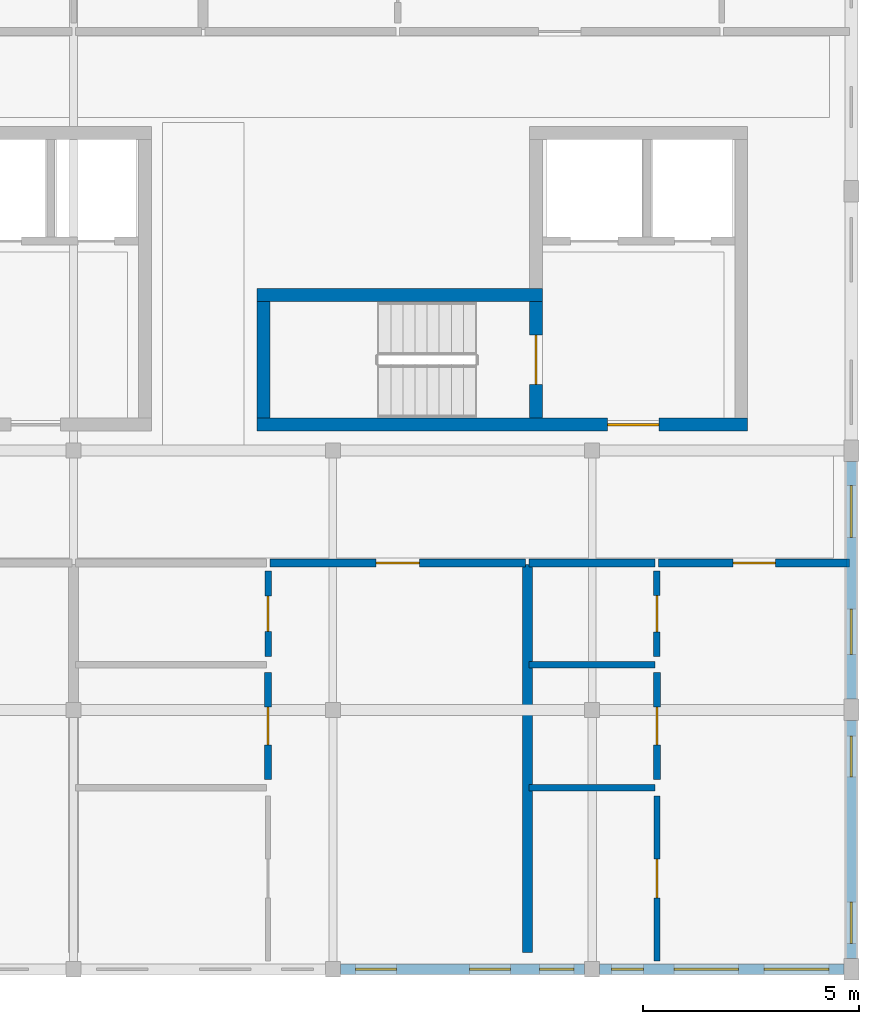
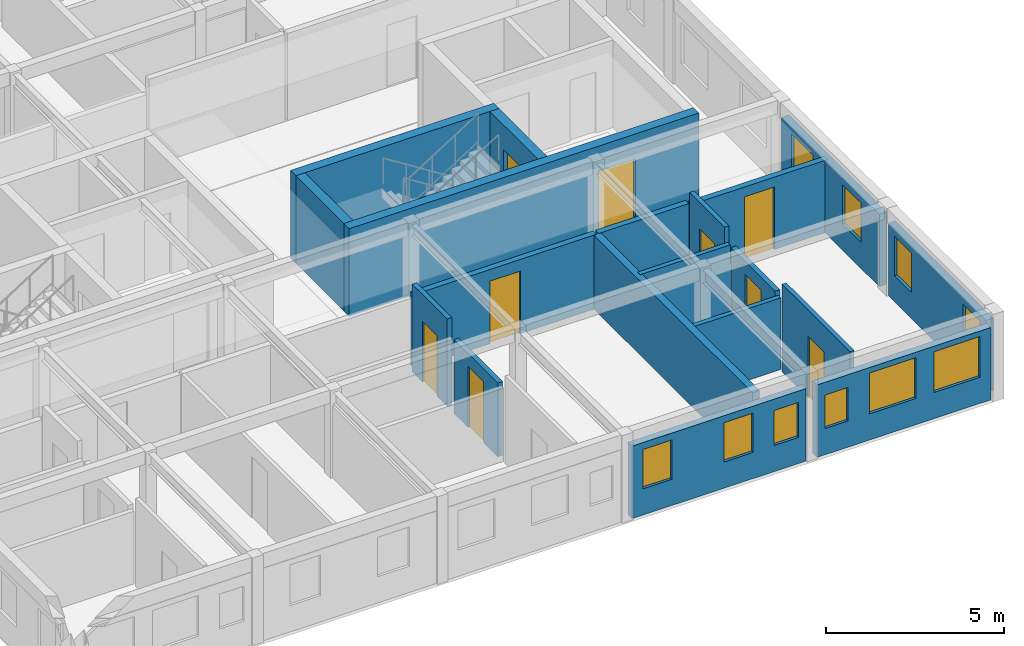
# One storey, part 3 of 7: 19 walls, 10 windows, 9 doors, 19 openings.
"""IFC4 building model written with IfcOpenShell, lengths in metres."""

from ifc_helpers import new_model, si_unit, direction, frame, frame_2d, origin, place, context, subcontext, project, spatial, rectangle, extrude, material, layer, layer_set, type_object, element, fill, save


model = new_model("IFC4")

# Units and contexts
model_context = context("Model", 3, precision=1e-05, world=origin(), true_north=direction((0.0, 1.0)))
body_context = subcontext(model_context, "Body", "Model", "MODEL_VIEW")
ifc_project = project(units=[si_unit("LENGTHUNIT", "METRE"), si_unit("AREAUNIT", "SQUARE_METRE"), si_unit("VOLUMEUNIT", "CUBIC_METRE"), si_unit("PLANEANGLEUNIT", "RADIAN"), si_unit("MASSUNIT", "GRAM", prefix="KILO"), si_unit("POWERUNIT", "WATT"), si_unit("THERMODYNAMICTEMPERATUREUNIT", "KELVIN")], contexts=[model_context])

# Site, building, storey
site_placement = place(None, origin())
site = spatial("IfcSite", under=ifc_project, at=site_placement, CompositionType="ELEMENT")
building_placement = place(site_placement, origin())
building = spatial("IfcBuilding", under=site, at=building_placement, Name="Ruvembo Vaulted Housing Court", CompositionType="ELEMENT")
storey_placement = place(building_placement, frame((0.0, 0.0, 42.89990234375)))
storey = spatial("IfcBuildingStorey", under=building, at=storey_placement, Name="L13", CompositionType="ELEMENT", Elevation=42.89990234375)

# Wall, opening, door
ifc_material_1 = material(Name="Concrete C35/45", Category="concrete")
ifc_layer_1 = layer(ifc_material_1, 0.300048828125, Name="Concrete C35/45")
ifc_layer_set_1 = layer_set([ifc_layer_1], Name="Concrete C35/45")
wall_type_1 = type_object("IfcWallType", Name="WL-CORE-300", PredefinedType="SHEAR", material=ifc_layer_set_1)
wall_1_placement = place(storey_placement, frame((16.25, 18.60009765625, 0.0), z_axis=(0.0, 0.0, 1.0), x_axis=(1.0, 0.0, 0.0)))
wall_1 = element("IfcWall", 1, at=wall_1_placement, inside=storey, type_object=wall_type_1, Name="Core A2 L13 South Shear Wall", PredefinedType="SHEAR", context=body_context, shape_type="SweptSolid", body=[
    extrude(rectangle(XDim=11.35009765625, YDim=0.300048828125, at=frame_2d((5.675048828125, 0.0))), origin(), (0.0, 0.0, 1.0), 3.005126953125),
])
opening_1_placement = place(wall_1_placement, frame((8.10009765625, 0.0, 0.0)))
opening_1 = element("IfcOpeningElement", 2, at=opening_1_placement, cuts=wall_1, Name="Opening LD3", PredefinedType="OPENING", context=body_context, shape_type="SweptSolid", body=[
    extrude(rectangle(XDim=1.199951171875, YDim=2.14990234375, at=frame_2d((0.60009765625, 1.074951171875))), frame((0.0, 0.159912109375, 0.0), z_axis=(0.0, -1.0, 0.0), x_axis=(1.0, 0.0, 0.0)), (0.0, 0.0, 1.0), 0.320068359375),
])
ifc_material_2 = material(Name="Galvanised Painted Steel", Category="steel")
door_type_1 = type_object("IfcDoorType", Name="DR-LOB-1200x2150", OperationType="NOTDEFINED", PredefinedType="DOOR", material=ifc_material_2)
door_1_placement = place(opening_1_placement, origin())
door_1 = element("IfcDoor", 3, at=door_1_placement, inside=storey, type_object=door_type_1, Name="Core A2 L13 Lobby Fire Door", OperationType="SINGLE_SWING_LEFT", OverallHeight=2.14990234375, OverallWidth=1.199951171875, PredefinedType="DOOR", context=body_context, shape_type="SweptSolid", body=[
    extrude(rectangle(XDim=1.199951171875, YDim=2.14990234375, at=frame_2d((0.60009765625, 1.074951171875))), frame((0.0, 0.02490234375, 0.0), z_axis=(0.0, -1.0, 0.0), x_axis=(1.0, 0.0, 0.0)), (0.0, 0.0, 1.0), 0.050048828125),
])
fill(opening_1, door_1)

# Walls
wall_2_placement = place(storey_placement, frame((22.85009765625, 21.60009765625, 0.0), z_axis=(0.0, 0.0, 1.0), x_axis=(-1.0, 0.0, 0.0)))
element("IfcWall", 4, at=wall_2_placement, inside=storey, type_object=wall_type_1, Name="Core A2 L13 Stair North Shear Wall", PredefinedType="SHEAR", context=body_context, shape_type="SweptSolid", body=[
    extrude(rectangle(XDim=6.60009765625, YDim=0.300048828125, at=frame_2d((3.300048828125, 0.0))), origin(), (0.0, 0.0, 1.0), 3.005126953125),
])
wall_3_placement = place(storey_placement, frame((16.39990234375, 21.449951171875, 0.0), z_axis=(0.0, 0.0, 1.0), x_axis=(0.0, -1.0, 0.0)))
element("IfcWall", 5, at=wall_3_placement, inside=storey, type_object=wall_type_1, Name="Core A2 L13 Stair West Shear Wall", PredefinedType="SHEAR", context=body_context, shape_type="SweptSolid", body=[
    extrude(rectangle(XDim=2.699951171875, YDim=0.300048828125, at=frame_2d((1.35009765625, 0.0))), origin(), (0.0, 0.0, 1.0), 3.005126953125),
])

# Wall, opening, door
wall_4_placement = place(storey_placement, frame((22.699951171875, 18.75, 0.0), z_axis=(0.0, 0.0, 1.0), x_axis=(0.0, 1.0, 0.0)))
wall_4 = element("IfcWall", 6, at=wall_4_placement, inside=storey, type_object=wall_type_1, Name="Core A2 L13 Stair-Lobby Shear Wall", PredefinedType="SHEAR", context=body_context, shape_type="SweptSolid", body=[
    extrude(rectangle(XDim=2.699951171875, YDim=0.300048828125, at=frame_2d((1.35009765625, 0.0))), origin(), (0.0, 0.0, 1.0), 3.005126953125),
])
opening_2_placement = place(wall_4_placement, frame((0.77490234375, 0.0, 0.0)))
opening_2 = element("IfcOpeningElement", 7, at=opening_2_placement, cuts=wall_4, Name="Opening SD1", PredefinedType="OPENING", context=body_context, shape_type="SweptSolid", body=[
    extrude(rectangle(XDim=1.14990234375, YDim=2.14990234375, at=frame_2d((0.574951171875, 1.074951171875))), frame((0.0, 0.159912109375, 0.0), z_axis=(0.0, -1.0, 0.0), x_axis=(1.0, 0.0, 0.0)), (0.0, 0.0, 1.0), 0.320068359375),
])
door_type_2 = type_object("IfcDoorType", Name="DR-STAIR-1150x2150", OperationType="NOTDEFINED", PredefinedType="DOOR", material=ifc_material_2)
door_2_placement = place(opening_2_placement, origin())
door_2 = element("IfcDoor", 8, at=door_2_placement, inside=storey, type_object=door_type_2, Name="Stair ST-A2 L13 Fire Door", OperationType="SINGLE_SWING_RIGHT", OverallHeight=2.14990234375, OverallWidth=1.14990234375, PredefinedType="DOOR", context=body_context, shape_type="SweptSolid", body=[
    extrude(rectangle(XDim=1.14990234375, YDim=2.14990234375, at=frame_2d((0.574951171875, 1.074951171875))), frame((0.0, 0.02490234375, 0.0), z_axis=(0.0, -1.0, 0.0), x_axis=(1.0, 0.0, 0.0)), (0.0, 0.0, 1.0), 0.050048828125),
])
fill(opening_2, door_2)

ifc_material_3 = material(Name="Concrete Blockwork 190", Category="masonry")
ifc_layer_2 = layer(ifc_material_3, 0.18994140625, Name="Concrete Blockwork 190")
ifc_layer_set_2 = layer_set([ifc_layer_2], Name="Concrete Blockwork 190")
wall_type_2 = type_object("IfcWallType", Name="WL-CORR-190", PredefinedType="SOLIDWALL", material=ifc_layer_set_2)
wall_5_placement = place(storey_placement, frame((16.5400390625, 15.39990234375, 0.0), z_axis=(0.0, 0.0, 1.0), x_axis=(1.0, 0.0, 0.0)))
wall_5 = element("IfcWall", 9, at=wall_5_placement, inside=storey, type_object=wall_type_2, Name="L13 Flat A-L13-S2 Entrance WL-INT-L13-02362", PredefinedType="SOLIDWALL", context=body_context, shape_type="SweptSolid", body=[
    extrude(rectangle(XDim=5.919921875, YDim=0.18994140625, at=frame_2d((2.9599609375, 0.0))), origin(), (0.0, 0.0, 1.0), 2.548095703125),
])
opening_3_placement = place(wall_5_placement, frame((2.4599609375, 0.0, 0.0)))
opening_3 = element("IfcOpeningElement", 10, at=opening_3_placement, cuts=wall_5, Name="Opening FD1", PredefinedType="OPENING", context=body_context, shape_type="SweptSolid", body=[
    extrude(rectangle(XDim=1.0, YDim=2.14990234375, at=frame_2d((0.5, 1.074951171875))), frame((0.0, 0.10498046875, 0.0), z_axis=(0.0, -1.0, 0.0), x_axis=(1.0, 0.0, 0.0)), (0.0, 0.0, 1.0), 0.2099609375),
])
ifc_material_4 = material(Name="FSC Hardwood and Engineered Timber", Category="wood")
door_type_3 = type_object("IfcDoorType", Name="DR-FLAT-1000x2150", OperationType="NOTDEFINED", PredefinedType="DOOR", material=ifc_material_4)
door_3_placement = place(opening_3_placement, origin())
door_3 = element("IfcDoor", 11, at=door_3_placement, inside=storey, type_object=door_type_3, Name="L13 Flat A-L13-S2 Entrance Door DR-INT-L13-01305", OperationType="SINGLE_SWING_LEFT", OverallHeight=2.14990234375, OverallWidth=1.0, PredefinedType="DOOR", context=body_context, shape_type="SweptSolid", body=[
    extrude(rectangle(XDim=1.0, YDim=2.14990234375, at=frame_2d((0.5, 1.074951171875))), frame((0.0, 0.02490234375, 0.0), z_axis=(0.0, -1.0, 0.0), x_axis=(1.0, 0.0, 0.0)), (0.0, 0.0, 1.0), 0.050048828125),
])
fill(opening_3, door_3)

# Wall
wall_6_placement = place(storey_placement, frame((22.5400390625, 15.39990234375, 0.0), z_axis=(0.0, 0.0, 1.0), x_axis=(1.0, 0.0, 0.0)))
element("IfcWall", 12, at=wall_6_placement, inside=storey, type_object=wall_type_2, Name="L13 Flat A-L13-S3 Corridor Wall WL-INT-L13-02368", PredefinedType="SOLIDWALL", context=body_context, shape_type="SweptSolid", body=[
    extrude(rectangle(XDim=2.919921875, YDim=0.18994140625, at=frame_2d((1.4599609375, 0.0))), origin(), (0.0, 0.0, 1.0), 2.548095703125),
])

# Wall, opening, door
wall_7_placement = place(storey_placement, frame((25.5400390625, 15.39990234375, 0.0), z_axis=(0.0, 0.0, 1.0), x_axis=(1.0, 0.0, 0.0)))
wall_7 = element("IfcWall", 13, at=wall_7_placement, inside=storey, type_object=wall_type_2, Name="L13 Flat A-L13-S3 Entrance WL-INT-L13-02369", PredefinedType="SOLIDWALL", context=body_context, shape_type="SweptSolid", body=[
    extrude(rectangle(XDim=4.419921875, YDim=0.18994140625, at=frame_2d((2.2099609375, 0.0))), origin(), (0.0, 0.0, 1.0), 2.487060546875),
])
opening_4_placement = place(wall_7_placement, frame((1.719970703125, 0.0, 0.0)))
opening_4 = element("IfcOpeningElement", 14, at=opening_4_placement, cuts=wall_7, Name="Opening FD2", PredefinedType="OPENING", context=body_context, shape_type="SweptSolid", body=[
    extrude(rectangle(XDim=0.97998046875, YDim=2.14990234375, at=frame_2d((0.489990234375, 1.074951171875))), frame((0.0, 0.10498046875, 0.0), z_axis=(0.0, -1.0, 0.0), x_axis=(1.0, 0.0, 0.0)), (0.0, 0.0, 1.0), 0.2099609375),
])
door_type_4 = type_object("IfcDoorType", Name="DR-FLAT-0980x2150", OperationType="NOTDEFINED", PredefinedType="DOOR", material=ifc_material_4)
door_4_placement = place(opening_4_placement, origin())
door_4 = element("IfcDoor", 15, at=door_4_placement, inside=storey, type_object=door_type_4, Name="L13 Flat A-L13-S3 Entrance Door DR-INT-L13-01309", OperationType="SINGLE_SWING_LEFT", OverallHeight=2.14990234375, OverallWidth=0.97998046875, PredefinedType="DOOR", context=body_context, shape_type="SweptSolid", body=[
    extrude(rectangle(XDim=0.97998046875, YDim=2.14990234375, at=frame_2d((0.489990234375, 1.074951171875))), frame((0.0, 0.02490234375, 0.0), z_axis=(0.0, -1.0, 0.0), x_axis=(1.0, 0.0, 0.0)), (0.0, 0.0, 1.0), 0.050048828125),
])
fill(opening_4, door_4)

# Wall
ifc_material_5 = material(Name="Acoustic Masonry Demising 230", Category="masonry")
ifc_layer_3 = layer(ifc_material_5, 0.22998046875, Name="Acoustic Masonry Demising 230")
ifc_layer_set_3 = layer_set([ifc_layer_3], Name="Acoustic Masonry Demising 230")
wall_type_3 = type_object("IfcWallType", Name="WL-DEM-230", PredefinedType="SOLIDWALL", material=ifc_layer_set_3)
wall_8_placement = place(storey_placement, frame((22.5, 6.389892578125, 0.0), z_axis=(0.0, 0.0, 1.0), x_axis=(0.0, 1.0, 0.0)))
element("IfcWall", 16, at=wall_8_placement, inside=storey, type_object=wall_type_3, Name="L13 Demising A-L13-S2 WL-INT-L13-02360", PredefinedType="SOLIDWALL", context=body_context, shape_type="SweptSolid", body=[
    extrude(rectangle(XDim=8.97021484375, YDim=0.22998046875, at=frame_2d((4.485107421875, 0.0))), origin(), (0.0, 0.0, 1.0), 2.537109375),
])

# Wall, openings, windows
ifc_material_6 = material(Name="Rendered Masonry 235", Category="masonry")
ifc_layer_4 = layer(ifc_material_6, 0.235107421875, Name="Rendered Masonry 235")
ifc_layer_set_4 = layer_set([ifc_layer_4], Name="Rendered Masonry 235")
wall_type_4 = type_object("IfcWallType", Name="WL-EXT-235", PredefinedType="STANDARD", material=ifc_layer_set_4)
wall_9_placement = place(storey_placement, frame((18.175048828125, 6.0, 0.0), z_axis=(0.0, 0.0, 1.0), x_axis=(1.0, 0.0, 0.0)))
wall_9 = element("IfcWall", 17, at=wall_9_placement, inside=storey, type_object=wall_type_4, Name="Block A L13 Exterior Wall STREET #4", PredefinedType="STANDARD", context=body_context, shape_type="SweptSolid", body=[
    extrude(rectangle(XDim=5.64990234375, YDim=0.235107421875, at=frame_2d((2.824951171875, 0.0))), origin(), (0.0, 0.0, 1.0), 2.487060546875),
])
opening_5_placement = place(wall_9_placement, frame((0.35009765625, 0.0, 0.89990234375)))
opening_5 = element("IfcOpeningElement", 18, at=opening_5_placement, cuts=wall_9, Name="Opening W07", PredefinedType="OPENING", context=body_context, shape_type="SweptSolid", body=[
    extrude(rectangle(XDim=0.949951171875, YDim=1.35009765625, at=frame_2d((0.47509765625, 0.675048828125))), frame((0.0, 0.12744140625, 0.0), z_axis=(0.0, -1.0, 0.0), x_axis=(1.0, 0.0, 0.0)), (0.0, 0.0, 1.0), 0.255126953125),
])
opening_6_placement = place(wall_9_placement, frame((2.985107421875, 0.0, 0.89990234375)))
opening_6 = element("IfcOpeningElement", 19, at=opening_6_placement, cuts=wall_9, Name="Opening W07", PredefinedType="OPENING", context=body_context, shape_type="SweptSolid", body=[
    extrude(rectangle(XDim=0.949951171875, YDim=1.35009765625, at=frame_2d((0.47509765625, 0.675048828125))), frame((0.0, 0.12744140625, 0.0), z_axis=(0.0, -1.0, 0.0), x_axis=(1.0, 0.0, 0.0)), (0.0, 0.0, 1.0), 0.255126953125),
])
opening_7_placement = place(wall_9_placement, frame((4.607421875, 0.0, 0.89990234375)))
opening_7 = element("IfcOpeningElement", 20, at=opening_7_placement, cuts=wall_9, Name="Opening W02", PredefinedType="OPENING", context=body_context, shape_type="SweptSolid", body=[
    extrude(rectangle(XDim=0.800048828125, YDim=1.199951171875, at=frame_2d((0.39990234375, 0.60009765625))), frame((0.0, 0.12744140625, 0.0), z_axis=(0.0, -1.0, 0.0), x_axis=(1.0, 0.0, 0.0)), (0.0, 0.0, 1.0), 0.255126953125),
])
ifc_material_7 = material(Name="Double Solar-Control Glazing in Aluminium Frame", Category="aluminium")
window_type_1 = type_object("IfcWindowType", Name="WIN-0800x1200", PartitioningType="SINGLE_PANEL", PredefinedType="WINDOW", material=ifc_material_7)
window_1_placement = place(opening_7_placement, origin())
window_1 = element("IfcWindow", 21, at=window_1_placement, inside=storey, type_object=window_type_1, Name="Block A L13 Window #567", OverallHeight=1.199951171875, OverallWidth=0.800048828125, PartitioningType="SINGLE_PANEL", PredefinedType="WINDOW", context=body_context, shape_type="SweptSolid", body=[
    extrude(rectangle(XDim=0.800048828125, YDim=1.199951171875, at=frame_2d((0.39990234375, 0.60009765625))), frame((0.0, 0.030029296875, 0.0), z_axis=(0.0, -1.0, 0.0), x_axis=(1.0, 0.0, 0.0)), (0.0, 0.0, 1.0), 0.06005859375),
])
fill(opening_7, window_1)
window_type_2 = type_object("IfcWindowType", Name="WIN-0950x1350", PartitioningType="SINGLE_PANEL", PredefinedType="WINDOW", material=ifc_material_7)
window_2_placement = place(opening_5_placement, origin())
window_2 = element("IfcWindow", 22, at=window_2_placement, inside=storey, type_object=window_type_2, Name="Block A L13 Window #565", OverallHeight=1.35009765625, OverallWidth=0.949951171875, PartitioningType="SINGLE_PANEL", PredefinedType="WINDOW", context=body_context, shape_type="SweptSolid", body=[
    extrude(rectangle(XDim=0.949951171875, YDim=1.35009765625, at=frame_2d((0.47509765625, 0.675048828125))), frame((0.0, 0.030029296875, 0.0), z_axis=(0.0, -1.0, 0.0), x_axis=(1.0, 0.0, 0.0)), (0.0, 0.0, 1.0), 0.06005859375),
])
fill(opening_5, window_2)
window_3_placement = place(opening_6_placement, origin())
window_3 = element("IfcWindow", 23, at=window_3_placement, inside=storey, type_object=window_type_2, Name="Block A L13 Window #566", OverallHeight=1.35009765625, OverallWidth=0.949951171875, PartitioningType="SINGLE_PANEL", PredefinedType="WINDOW", context=body_context, shape_type="SweptSolid", body=[
    extrude(rectangle(XDim=0.949951171875, YDim=1.35009765625, at=frame_2d((0.47509765625, 0.675048828125))), frame((0.0, 0.030029296875, 0.0), z_axis=(0.0, -1.0, 0.0), x_axis=(1.0, 0.0, 0.0)), (0.0, 0.0, 1.0), 0.06005859375),
])
fill(opening_6, window_3)

wall_10_placement = place(storey_placement, frame((24.175048828125, 6.0, 0.0), z_axis=(0.0, 0.0, 1.0), x_axis=(1.0, 0.0, 0.0)))
wall_10 = element("IfcWall", 24, at=wall_10_placement, inside=storey, type_object=wall_type_4, Name="Block A L13 Exterior Wall STREET #5", PredefinedType="STANDARD", context=body_context, shape_type="SweptSolid", body=[
    extrude(rectangle(XDim=5.64990234375, YDim=0.235107421875, at=frame_2d((2.824951171875, 0.0))), origin(), (0.0, 0.0, 1.0), 2.487060546875),
])
opening_8_placement = place(wall_10_placement, frame((0.267578125, 0.0, 0.89990234375)))
opening_8 = element("IfcOpeningElement", 25, at=opening_8_placement, cuts=wall_10, Name="Opening W01", PredefinedType="OPENING", context=body_context, shape_type="SweptSolid", body=[
    extrude(rectangle(XDim=0.75, YDim=1.14990234375, at=frame_2d((0.375, 0.574951171875))), frame((0.0, 0.12744140625, 0.0), z_axis=(0.0, -1.0, 0.0), x_axis=(1.0, 0.0, 0.0)), (0.0, 0.0, 1.0), 0.255126953125),
])
opening_9_placement = place(wall_10_placement, frame((1.715087890625, 0.0, 0.89990234375)))
opening_9 = element("IfcOpeningElement", 26, at=opening_9_placement, cuts=wall_10, Name="Opening W18", PredefinedType="OPENING", context=body_context, shape_type="SweptSolid", body=[
    extrude(rectangle(XDim=1.5, YDim=1.39990234375, at=frame_2d((0.75, 0.699951171875))), frame((0.0, 0.12744140625, 0.0), z_axis=(0.0, -1.0, 0.0), x_axis=(1.0, 0.0, 0.0)), (0.0, 0.0, 1.0), 0.255126953125),
])
opening_10_placement = place(wall_10_placement, frame((3.800048828125, 0.0, 0.89990234375)))
opening_10 = element("IfcOpeningElement", 27, at=opening_10_placement, cuts=wall_10, Name="Opening W18", PredefinedType="OPENING", context=body_context, shape_type="SweptSolid", body=[
    extrude(rectangle(XDim=1.5, YDim=1.39990234375, at=frame_2d((0.75, 0.699951171875))), frame((0.0, 0.12744140625, 0.0), z_axis=(0.0, -1.0, 0.0), x_axis=(1.0, 0.0, 0.0)), (0.0, 0.0, 1.0), 0.255126953125),
])
window_type_3 = type_object("IfcWindowType", Name="WIN-0750x1150", PartitioningType="SINGLE_PANEL", PredefinedType="WINDOW", material=ifc_material_7)
window_4_placement = place(opening_8_placement, origin())
window_4 = element("IfcWindow", 28, at=window_4_placement, inside=storey, type_object=window_type_3, Name="Block A L13 Window #568", OverallHeight=1.14990234375, OverallWidth=0.75, PartitioningType="SINGLE_PANEL", PredefinedType="WINDOW", context=body_context, shape_type="SweptSolid", body=[
    extrude(rectangle(XDim=0.75, YDim=1.14990234375, at=frame_2d((0.375, 0.574951171875))), frame((0.0, 0.030029296875, 0.0), z_axis=(0.0, -1.0, 0.0), x_axis=(1.0, 0.0, 0.0)), (0.0, 0.0, 1.0), 0.06005859375),
])
fill(opening_8, window_4)
window_type_4 = type_object("IfcWindowType", Name="WIN-1500x1400", PartitioningType="SINGLE_PANEL", PredefinedType="WINDOW", material=ifc_material_7)
window_5_placement = place(opening_9_placement, origin())
window_5 = element("IfcWindow", 29, at=window_5_placement, inside=storey, type_object=window_type_4, Name="Block A L13 Window #569", OverallHeight=1.39990234375, OverallWidth=1.5, PartitioningType="SINGLE_PANEL", PredefinedType="WINDOW", context=body_context, shape_type="SweptSolid", body=[
    extrude(rectangle(XDim=1.5, YDim=1.39990234375, at=frame_2d((0.75, 0.699951171875))), frame((0.0, 0.030029296875, 0.0), z_axis=(0.0, -1.0, 0.0), x_axis=(1.0, 0.0, 0.0)), (0.0, 0.0, 1.0), 0.06005859375),
])
fill(opening_9, window_5)
window_6_placement = place(opening_10_placement, origin())
window_6 = element("IfcWindow", 30, at=window_6_placement, inside=storey, type_object=window_type_4, Name="Block A L13 Window #570", OverallHeight=1.39990234375, OverallWidth=1.5, PartitioningType="SINGLE_PANEL", PredefinedType="WINDOW", context=body_context, shape_type="SweptSolid", body=[
    extrude(rectangle(XDim=1.5, YDim=1.39990234375, at=frame_2d((0.75, 0.699951171875))), frame((0.0, 0.030029296875, 0.0), z_axis=(0.0, -1.0, 0.0), x_axis=(1.0, 0.0, 0.0)), (0.0, 0.0, 1.0), 0.06005859375),
])
fill(opening_10, window_6)

wall_11_placement = place(storey_placement, frame((30.0, 6.25, 0.0), z_axis=(0.0, 0.0, 1.0), x_axis=(0.0, 1.0, 0.0)))
wall_11 = element("IfcWall", 31, at=wall_11_placement, inside=storey, type_object=wall_type_4, Name="Block A L13 Exterior Wall EAST #1", PredefinedType="STANDARD", context=body_context, shape_type="SweptSolid", body=[
    extrude(rectangle(XDim=5.5, YDim=0.235107421875, at=frame_2d((2.75, 0.0))), origin(), (0.0, 0.0, 1.0), 2.487060546875),
])
opening_11_placement = place(wall_11_placement, frame((0.35009765625, 0.0, 0.89990234375)))
opening_11 = element("IfcOpeningElement", 32, at=opening_11_placement, cuts=wall_11, Name="Opening W07", PredefinedType="OPENING", context=body_context, shape_type="SweptSolid", body=[
    extrude(rectangle(XDim=0.949951171875, YDim=1.35009765625, at=frame_2d((0.47509765625, 0.675048828125))), frame((0.0, 0.12744140625, 0.0), z_axis=(0.0, -1.0, 0.0), x_axis=(1.0, 0.0, 0.0)), (0.0, 0.0, 1.0), 0.255126953125),
])
opening_12_placement = place(wall_11_placement, frame((4.199951171875, 0.0, 0.89990234375)))
opening_12 = element("IfcOpeningElement", 33, at=opening_12_placement, cuts=wall_11, Name="Opening W07", PredefinedType="OPENING", context=body_context, shape_type="SweptSolid", body=[
    extrude(rectangle(XDim=0.949951171875, YDim=1.35009765625, at=frame_2d((0.47509765625, 0.675048828125))), frame((0.0, 0.12744140625, 0.0), z_axis=(0.0, -1.0, 0.0), x_axis=(1.0, 0.0, 0.0)), (0.0, 0.0, 1.0), 0.255126953125),
])
window_7_placement = place(opening_11_placement, origin())
window_7 = element("IfcWindow", 34, at=window_7_placement, inside=storey, type_object=window_type_2, Name="Block A L13 Window #571", OverallHeight=1.35009765625, OverallWidth=0.949951171875, PartitioningType="SINGLE_PANEL", PredefinedType="WINDOW", context=body_context, shape_type="SweptSolid", body=[
    extrude(rectangle(XDim=0.949951171875, YDim=1.35009765625, at=frame_2d((0.47509765625, 0.675048828125))), frame((0.0, 0.030029296875, 0.0), z_axis=(0.0, -1.0, 0.0), x_axis=(1.0, 0.0, 0.0)), (0.0, 0.0, 1.0), 0.06005859375),
])
fill(opening_11, window_7)
window_8_placement = place(opening_12_placement, origin())
window_8 = element("IfcWindow", 35, at=window_8_placement, inside=storey, type_object=window_type_2, Name="Block A L13 Window #572", OverallHeight=1.35009765625, OverallWidth=0.949951171875, PartitioningType="SINGLE_PANEL", PredefinedType="WINDOW", context=body_context, shape_type="SweptSolid", body=[
    extrude(rectangle(XDim=0.949951171875, YDim=1.35009765625, at=frame_2d((0.47509765625, 0.675048828125))), frame((0.0, 0.030029296875, 0.0), z_axis=(0.0, -1.0, 0.0), x_axis=(1.0, 0.0, 0.0)), (0.0, 0.0, 1.0), 0.06005859375),
])
fill(opening_12, window_8)

wall_12_placement = place(storey_placement, frame((30.0, 12.25, 0.0), z_axis=(0.0, 0.0, 1.0), x_axis=(0.0, 1.0, 0.0)))
wall_12 = element("IfcWall", 36, at=wall_12_placement, inside=storey, type_object=wall_type_4, Name="Block A L13 Exterior Wall EAST #2", PredefinedType="STANDARD", context=body_context, shape_type="SweptSolid", body=[
    extrude(rectangle(XDim=5.5, YDim=0.235107421875, at=frame_2d((2.75, 0.0))), origin(), (0.0, 0.0, 1.0), 2.487060546875),
])
opening_13_placement = place(wall_12_placement, frame((1.030029296875, 0.0, 0.89990234375)))
opening_13 = element("IfcOpeningElement", 37, at=opening_13_placement, cuts=wall_12, Name="Opening W09", PredefinedType="OPENING", context=body_context, shape_type="SweptSolid", body=[
    extrude(rectangle(XDim=1.050048828125, YDim=1.35009765625, at=frame_2d((0.52490234375, 0.675048828125))), frame((0.0, 0.12744140625, 0.0), z_axis=(0.0, -1.0, 0.0), x_axis=(1.0, 0.0, 0.0)), (0.0, 0.0, 1.0), 0.255126953125),
])
opening_14_placement = place(wall_12_placement, frame((3.7451171875, 0.0, 0.89990234375)))
opening_14 = element("IfcOpeningElement", 38, at=opening_14_placement, cuts=wall_12, Name="Opening W12", PredefinedType="OPENING", context=body_context, shape_type="SweptSolid", body=[
    extrude(rectangle(XDim=1.199951171875, YDim=1.35009765625, at=frame_2d((0.60009765625, 0.675048828125))), frame((0.0, 0.12744140625, 0.0), z_axis=(0.0, -1.0, 0.0), x_axis=(1.0, 0.0, 0.0)), (0.0, 0.0, 1.0), 0.255126953125),
])
window_type_5 = type_object("IfcWindowType", Name="WIN-1050x1350", PartitioningType="SINGLE_PANEL", PredefinedType="WINDOW", material=ifc_material_7)
window_9_placement = place(opening_13_placement, origin())
window_9 = element("IfcWindow", 39, at=window_9_placement, inside=storey, type_object=window_type_5, Name="Block A L13 Window #573", OverallHeight=1.35009765625, OverallWidth=1.050048828125, PartitioningType="SINGLE_PANEL", PredefinedType="WINDOW", context=body_context, shape_type="SweptSolid", body=[
    extrude(rectangle(XDim=1.050048828125, YDim=1.35009765625, at=frame_2d((0.52490234375, 0.675048828125))), frame((0.0, 0.030029296875, 0.0), z_axis=(0.0, -1.0, 0.0), x_axis=(1.0, 0.0, 0.0)), (0.0, 0.0, 1.0), 0.06005859375),
])
fill(opening_13, window_9)
window_type_6 = type_object("IfcWindowType", Name="WIN-1200x1350", PartitioningType="SINGLE_PANEL", PredefinedType="WINDOW", material=ifc_material_7)
window_10_placement = place(opening_14_placement, origin())
window_10 = element("IfcWindow", 40, at=window_10_placement, inside=storey, type_object=window_type_6, Name="Block A L13 Window #574", OverallHeight=1.35009765625, OverallWidth=1.199951171875, PartitioningType="SINGLE_PANEL", PredefinedType="WINDOW", context=body_context, shape_type="SweptSolid", body=[
    extrude(rectangle(XDim=1.199951171875, YDim=1.35009765625, at=frame_2d((0.60009765625, 0.675048828125))), frame((0.0, 0.030029296875, 0.0), z_axis=(0.0, -1.0, 0.0), x_axis=(1.0, 0.0, 0.0)), (0.0, 0.0, 1.0), 0.06005859375),
])
fill(opening_14, window_10)

# Wall, opening, door
ifc_material_8 = material(Name="Acoustic Stud Partition 135", Category="gypsum")
ifc_layer_5 = layer(ifc_material_8, 0.135009765625, Name="Acoustic Stud Partition 135")
ifc_layer_set_5 = layer_set([ifc_layer_5], Name="Acoustic Stud Partition 135")
wall_type_5 = type_object("IfcWallType", Name="WL-PART-135", PredefinedType="PARTITIONING", material=ifc_layer_set_5)
wall_13_placement = place(storey_placement, frame((25.5, 6.18994140625, 0.0), z_axis=(0.0, 0.0, 1.0), x_axis=(0.0, 1.0, 0.0)))
wall_13 = element("IfcWall", 41, at=wall_13_placement, inside=storey, type_object=wall_type_5, Name="L13 Flat A-L13-S3 Bedroom 1 WL-INT-L13-02370", PredefinedType="PARTITIONING", context=body_context, shape_type="SweptSolid", body=[
    extrude(rectangle(XDim=3.820068359375, YDim=0.135009765625, at=frame_2d((1.91015625, 0.0))), origin(), (0.0, 0.0, 1.0), 3.005126953125),
])
opening_15_placement = place(wall_13_placement, frame((1.4599609375, 0.0, 0.0)))
opening_15 = element("IfcOpeningElement", 42, at=opening_15_placement, cuts=wall_13, Name="Opening ID1", PredefinedType="OPENING", context=body_context, shape_type="SweptSolid", body=[
    extrude(rectangle(XDim=0.89990234375, YDim=2.10009765625, at=frame_2d((0.449951171875, 1.050048828125))), frame((0.0, 0.077392578125, 0.0), z_axis=(0.0, -1.0, 0.0), x_axis=(1.0, 0.0, 0.0)), (0.0, 0.0, 1.0), 0.155029296875),
])
door_type_5 = type_object("IfcDoorType", Name="DR-ROOM-0900x2100", OperationType="NOTDEFINED", PredefinedType="DOOR", material=ifc_material_4)
door_5_placement = place(opening_15_placement, origin())
door_5 = element("IfcDoor", 43, at=door_5_placement, inside=storey, type_object=door_type_5, Name="L13 Flat A-L13-S3 Bedroom 1 Door DR-INT-L13-01310", OperationType="SINGLE_SWING_RIGHT", OverallHeight=2.10009765625, OverallWidth=0.89990234375, PredefinedType="DOOR", context=body_context, shape_type="SweptSolid", body=[
    extrude(rectangle(XDim=0.89990234375, YDim=2.10009765625, at=frame_2d((0.449951171875, 1.050048828125))), frame((0.0, 0.02490234375, 0.0), z_axis=(0.0, -1.0, 0.0), x_axis=(1.0, 0.0, 0.0)), (0.0, 0.0, 1.0), 0.050048828125),
])
fill(opening_15, door_5)

ifc_material_9 = material(Name="Moisture-Resistant Wet Partition 150", Category="gypsum")
ifc_layer_6 = layer(ifc_material_9, 0.14990234375, Name="Moisture-Resistant Wet Partition 150")
ifc_layer_set_6 = layer_set([ifc_layer_6], Name="Moisture-Resistant Wet Partition 150")
wall_type_6 = type_object("IfcWallType", Name="WL-PART-150", PredefinedType="PARTITIONING", material=ifc_layer_set_6)
wall_14_placement = place(storey_placement, frame((16.5, 13.239990234375, 0.0), z_axis=(0.0, 0.0, 1.0), x_axis=(0.0, 1.0, 0.0)))
wall_14 = element("IfcWall", 44, at=wall_14_placement, inside=storey, type_object=wall_type_6, Name="L13 Flat A-L13-S2 Bathroom WL-INT-L13-02365", PredefinedType="PARTITIONING", context=body_context, shape_type="SweptSolid", body=[
    extrude(rectangle(XDim=1.969970703125, YDim=0.14990234375, at=frame_2d((0.98486328125, 0.0))), origin(), (0.0, 0.0, 1.0), 3.005126953125),
])
opening_16_placement = place(wall_14_placement, frame((0.574951171875, 0.0, 0.0)))
opening_16 = element("IfcOpeningElement", 45, at=opening_16_placement, cuts=wall_14, Name="Opening ID4", PredefinedType="OPENING", context=body_context, shape_type="SweptSolid", body=[
    extrude(rectangle(XDim=0.820068359375, YDim=2.080078125, at=frame_2d((0.41015625, 1.0400390625))), frame((0.0, 0.0849609375, 0.0), z_axis=(0.0, -1.0, 0.0), x_axis=(1.0, 0.0, 0.0)), (0.0, 0.0, 1.0), 0.169921875),
])
door_type_6 = type_object("IfcDoorType", Name="DR-WET-0820x2080", OperationType="NOTDEFINED", PredefinedType="DOOR", material=ifc_material_4)
door_6_placement = place(opening_16_placement, origin())
door_6 = element("IfcDoor", 46, at=door_6_placement, inside=storey, type_object=door_type_6, Name="L13 Flat A-L13-S2 Bathroom Door DR-INT-L13-01308", OperationType="SINGLE_SWING_RIGHT", OverallHeight=2.080078125, OverallWidth=0.820068359375, PredefinedType="DOOR", context=body_context, shape_type="SweptSolid", body=[
    extrude(rectangle(XDim=0.820068359375, YDim=2.080078125, at=frame_2d((0.41015625, 1.0400390625))), frame((0.0, 0.02490234375, 0.0), z_axis=(0.0, -1.0, 0.0), x_axis=(1.0, 0.0, 0.0)), (0.0, 0.0, 1.0), 0.050048828125),
])
fill(opening_16, door_6)

wall_15_placement = place(storey_placement, frame((25.5, 13.239990234375, 0.0), z_axis=(0.0, 0.0, 1.0), x_axis=(0.0, 1.0, 0.0)))
wall_15 = element("IfcWall", 47, at=wall_15_placement, inside=storey, type_object=wall_type_6, Name="L13 Flat A-L13-S3 Bathroom WL-INT-L13-02372", PredefinedType="PARTITIONING", context=body_context, shape_type="SweptSolid", body=[
    extrude(rectangle(XDim=1.969970703125, YDim=0.14990234375, at=frame_2d((0.98486328125, 0.0))), origin(), (0.0, 0.0, 1.0), 3.005126953125),
])
opening_17_placement = place(wall_15_placement, frame((0.56005859375, 0.0, 0.0)))
opening_17 = element("IfcOpeningElement", 48, at=opening_17_placement, cuts=wall_15, Name="Opening ID2", PredefinedType="OPENING", context=body_context, shape_type="SweptSolid", body=[
    extrude(rectangle(XDim=0.85009765625, YDim=2.10009765625, at=frame_2d((0.425048828125, 1.050048828125))), frame((0.0, 0.0849609375, 0.0), z_axis=(0.0, -1.0, 0.0), x_axis=(1.0, 0.0, 0.0)), (0.0, 0.0, 1.0), 0.169921875),
])
door_type_7 = type_object("IfcDoorType", Name="DR-WET-0850x2100", OperationType="NOTDEFINED", PredefinedType="DOOR", material=ifc_material_4)
door_7_placement = place(opening_17_placement, origin())
door_7 = element("IfcDoor", 49, at=door_7_placement, inside=storey, type_object=door_type_7, Name="L13 Flat A-L13-S3 Bathroom Door DR-INT-L13-01312", OperationType="SINGLE_SWING_RIGHT", OverallHeight=2.10009765625, OverallWidth=0.85009765625, PredefinedType="DOOR", context=body_context, shape_type="SweptSolid", body=[
    extrude(rectangle(XDim=0.85009765625, YDim=2.10009765625, at=frame_2d((0.425048828125, 1.050048828125))), frame((0.0, 0.02490234375, 0.0), z_axis=(0.0, -1.0, 0.0), x_axis=(1.0, 0.0, 0.0)), (0.0, 0.0, 1.0), 0.050048828125),
])
fill(opening_17, door_7)

# Walls
wall_16_placement = place(storey_placement, frame((22.5400390625, 10.199951171875, 0.0), z_axis=(0.0, 0.0, 1.0), x_axis=(1.0, 0.0, 0.0)))
element("IfcWall", 50, at=wall_16_placement, inside=storey, type_object=wall_type_6, Name="L13 Flat A-L13-S3 Wet Wall 1 WL-INT-L13-02373", PredefinedType="PARTITIONING", context=body_context, shape_type="SweptSolid", body=[
    extrude(rectangle(XDim=2.919921875, YDim=0.14990234375, at=frame_2d((1.4599609375, 0.0))), origin(), (0.0, 0.0, 1.0), 2.4580078125),
])
wall_17_placement = place(storey_placement, frame((22.5400390625, 13.050048828125, 0.0), z_axis=(0.0, 0.0, 1.0), x_axis=(1.0, 0.0, 0.0)))
element("IfcWall", 51, at=wall_17_placement, inside=storey, type_object=wall_type_6, Name="L13 Flat A-L13-S3 Wet Wall 2 WL-INT-L13-02374", PredefinedType="PARTITIONING", context=body_context, shape_type="SweptSolid", body=[
    extrude(rectangle(XDim=2.919921875, YDim=0.14990234375, at=frame_2d((1.4599609375, 0.0))), origin(), (0.0, 0.0, 1.0), 2.548095703125),
])

# Wall, opening, door
ifc_material_10 = material(Name="Acoustic Service Chase Wall 160", Category="gypsum")
ifc_layer_7 = layer(ifc_material_10, 0.159912109375, Name="Acoustic Service Chase Wall 160")
ifc_layer_set_7 = layer_set([ifc_layer_7], Name="Acoustic Service Chase Wall 160")
wall_type_7 = type_object("IfcWallType", Name="WL-PLUMB-160", PredefinedType="PLUMBINGWALL", material=ifc_layer_set_7)
wall_18_placement = place(storey_placement, frame((16.5, 10.389892578125, 0.0), z_axis=(0.0, 0.0, 1.0), x_axis=(0.0, 1.0, 0.0)))
wall_18 = element("IfcWall", 52, at=wall_18_placement, inside=storey, type_object=wall_type_7, Name="L13 Flat A-L13-S2 Kitchen WL-INT-L13-02364", PredefinedType="PLUMBINGWALL", context=body_context, shape_type="SweptSolid", body=[
    extrude(rectangle(XDim=2.47021484375, YDim=0.159912109375, at=frame_2d((1.235107421875, 0.0))), origin(), (0.0, 0.0, 1.0), 2.537109375),
])
opening_18_placement = place(wall_18_placement, frame((0.794921875, 0.0, 0.0)))
opening_18 = element("IfcOpeningElement", 53, at=opening_18_placement, cuts=wall_18, Name="Opening ID3", PredefinedType="OPENING", context=body_context, shape_type="SweptSolid", body=[
    extrude(rectangle(XDim=0.8798828125, YDim=2.10009765625, at=frame_2d((0.43994140625, 1.050048828125))), frame((0.0, 0.08984375, 0.0), z_axis=(0.0, -1.0, 0.0), x_axis=(1.0, 0.0, 0.0)), (0.0, 0.0, 1.0), 0.179931640625),
])
door_type_8 = type_object("IfcDoorType", Name="DR-ROOM-0880x2100", OperationType="NOTDEFINED", PredefinedType="DOOR", material=ifc_material_4)
door_8_placement = place(opening_18_placement, origin())
door_8 = element("IfcDoor", 54, at=door_8_placement, inside=storey, type_object=door_type_8, Name="L13 Flat A-L13-S2 Kitchen Door DR-INT-L13-01307", OperationType="SINGLE_SWING_LEFT", OverallHeight=2.10009765625, OverallWidth=0.8798828125, PredefinedType="DOOR", context=body_context, shape_type="SweptSolid", body=[
    extrude(rectangle(XDim=0.8798828125, YDim=2.10009765625, at=frame_2d((0.43994140625, 1.050048828125))), frame((0.0, 0.02490234375, 0.0), z_axis=(0.0, -1.0, 0.0), x_axis=(1.0, 0.0, 0.0)), (0.0, 0.0, 1.0), 0.050048828125),
])
fill(opening_18, door_8)

wall_19_placement = place(storey_placement, frame((25.5, 10.389892578125, 0.0), z_axis=(0.0, 0.0, 1.0), x_axis=(0.0, 1.0, 0.0)))
wall_19 = element("IfcWall", 55, at=wall_19_placement, inside=storey, type_object=wall_type_7, Name="L13 Flat A-L13-S3 Kitchen WL-INT-L13-02371", PredefinedType="PLUMBINGWALL", context=body_context, shape_type="SweptSolid", body=[
    extrude(rectangle(XDim=2.47021484375, YDim=0.159912109375, at=frame_2d((1.235107421875, 0.0))), origin(), (0.0, 0.0, 1.0), 2.537109375),
])
opening_19_placement = place(wall_19_placement, frame((0.794921875, 0.0, 0.0)))
opening_19 = element("IfcOpeningElement", 56, at=opening_19_placement, cuts=wall_19, Name="Opening ID3", PredefinedType="OPENING", context=body_context, shape_type="SweptSolid", body=[
    extrude(rectangle(XDim=0.8798828125, YDim=2.10009765625, at=frame_2d((0.43994140625, 1.050048828125))), frame((0.0, 0.08984375, 0.0), z_axis=(0.0, -1.0, 0.0), x_axis=(1.0, 0.0, 0.0)), (0.0, 0.0, 1.0), 0.179931640625),
])
door_9_placement = place(opening_19_placement, origin())
door_9 = element("IfcDoor", 57, at=door_9_placement, inside=storey, type_object=door_type_8, Name="L13 Flat A-L13-S3 Kitchen Door DR-INT-L13-01311", OperationType="SINGLE_SWING_LEFT", OverallHeight=2.10009765625, OverallWidth=0.8798828125, PredefinedType="DOOR", context=body_context, shape_type="SweptSolid", body=[
    extrude(rectangle(XDim=0.8798828125, YDim=2.10009765625, at=frame_2d((0.43994140625, 1.050048828125))), frame((0.0, 0.02490234375, 0.0), z_axis=(0.0, -1.0, 0.0), x_axis=(1.0, 0.0, 0.0)), (0.0, 0.0, 1.0), 0.050048828125),
])
fill(opening_19, door_9)

save(model, "model.ifc")
